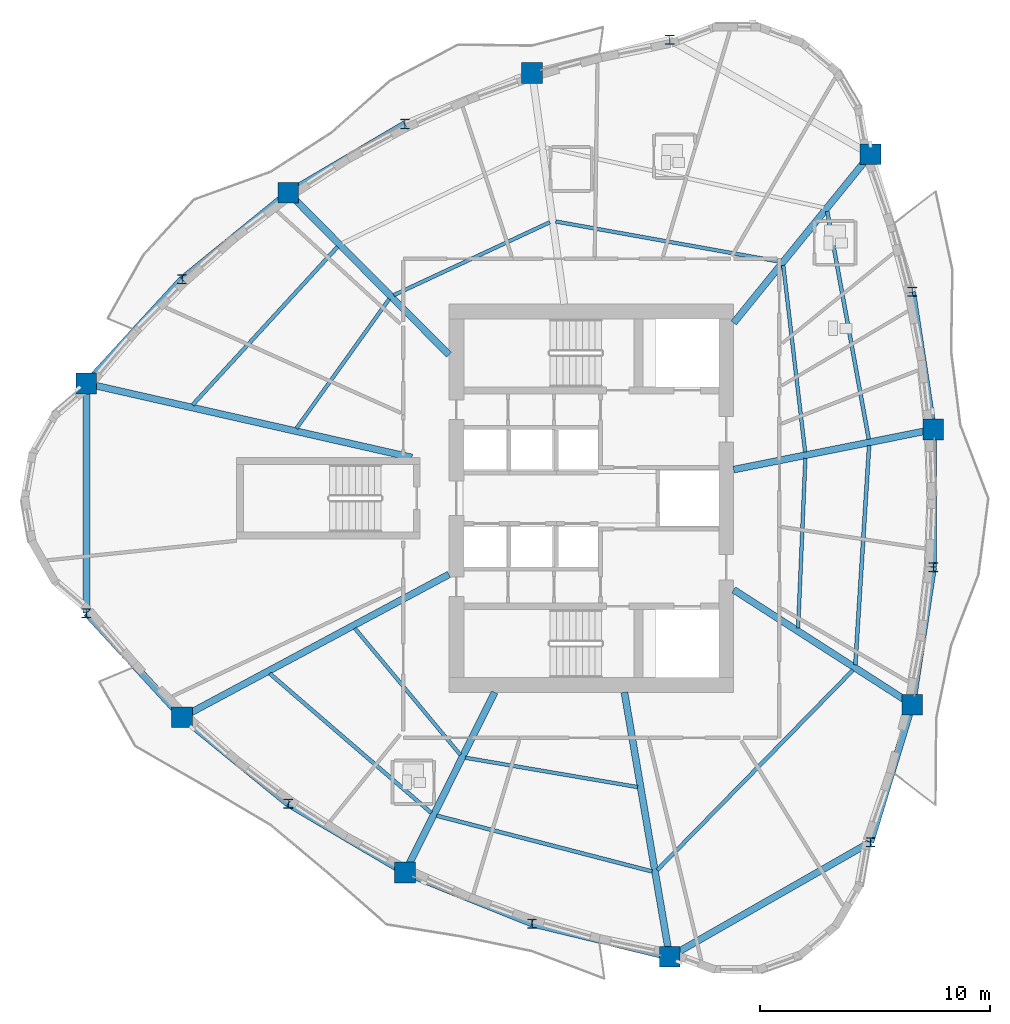
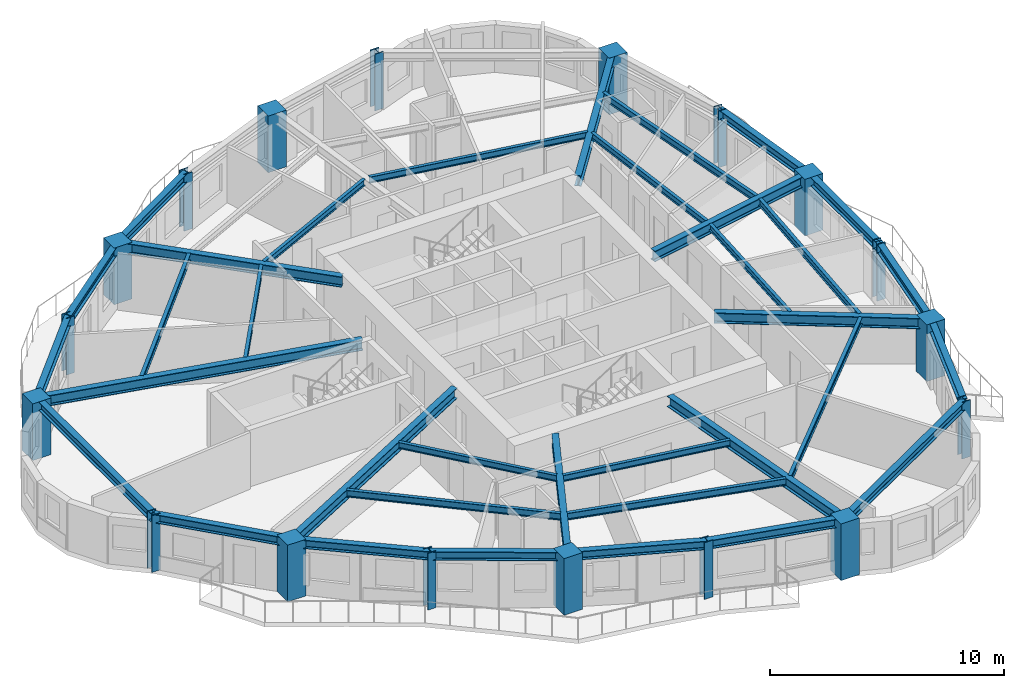
# One storey, part 1 of 12: 35 beams, 18 columns.
"""IFC4 building model written with IfcOpenShell, lengths in metres."""

from ifc_helpers import new_model, si_unit, direction, frame, origin, origin_2d, place, context, subcontext, project, spatial, rectangle, i_section, extrude, source, transform, mapped, material, material_profile, profile_set, type_object, element, save


model = new_model("IFC4")

# Units and contexts
model_context = context("Model", 3, precision=1e-05, world=origin(), true_north=direction((0.0, 1.0)))
body_context = subcontext(model_context, "Body", "Model", "MODEL_VIEW")
ifc_project = project(units=[si_unit("LENGTHUNIT", "METRE"), si_unit("AREAUNIT", "SQUARE_METRE"), si_unit("VOLUMEUNIT", "CUBIC_METRE"), si_unit("PLANEANGLEUNIT", "RADIAN"), si_unit("MASSUNIT", "GRAM", prefix="KILO")], contexts=[model_context])

# Site, building, storey
site_placement = place(None, origin())
site = spatial("IfcSite", under=ifc_project, at=site_placement, CompositionType="ELEMENT")
building_placement = place(site_placement, origin())
building = spatial("IfcBuilding", under=site, at=building_placement, Name="Qafzar Sky-Pleat Residences", CompositionType="ELEMENT")
storey_placement = place(building_placement, frame((0.0, 0.0, 92.800048828125)))
storey = spatial("IfcBuildingStorey", under=building, at=storey_placement, Name="L27", CompositionType="ELEMENT", Elevation=92.800048828125)

# Columns
ifc_material_1 = material(Name="Concrete C60/75", Category="concrete")
ifc_material_profile_1 = material_profile(ifc_material_1, rectangle(XDim=0.89990234375, YDim=0.89990234375, at=origin_2d()), Name="RC 900x900")
ifc_profile_set_1 = profile_set([ifc_material_profile_1], Name="Concrete C60/75")
column_type_1 = type_object("IfcColumnType", Name="COL-RC-900", PredefinedType="COLUMN", material=ifc_profile_set_1)
shared_shape_1 = source(origin(), body_context, "Body", "SweptSolid", [
    extrude(rectangle(XDim=0.89990234375, YDim=0.89990234375, at=origin_2d()), origin(), (0.0, 0.0, 1.0), 2.949951171875),
])
for number, where, z_axis, x_axis, name in (
    (1, (8.364990234375, 30.996337890625, 0.0), (0.0, 0.0, 1.0), (1.0, 0.0, 0.0), "L27 Perimeter Mega Column 1"),
    (2, (12.53369140625, 16.46533203125, 0.0), (0.0, 0.0, 1.0), (1.0, 0.0, 0.0), "L27 Perimeter Mega Column 3"),
    (3, (22.236328125, 9.705078125, 0.0), (0.0, 0.0, 1.0), (1.0, 0.0, 0.0), "L27 Perimeter Mega Column 5"),
    (4, (33.759521484375, 6.032470703125, 0.0), (0.0, 0.0, 1.0), (1.0, 0.0, 0.0), "L27 Perimeter Mega Column 7"),
    (5, (44.325439453125, 17.017333984375, 0.0), (0.0, 0.0, 1.0), (1.0, 0.0, 0.0), "L27 Perimeter Mega Column 9"),
    (6, (45.235595703125, 28.994140625, 0.0), (0.0, 0.0, 1.0), (1.0, 0.0, 0.0), "L27 Perimeter Mega Column 11"),
    (7, (42.5048828125, 40.97119140625, 0.0), (0.0, 0.0, 1.0), (1.0, 0.0, 0.0), "L27 Perimeter Mega Column 13"),
    (8, (27.770263671875, 44.517333984375, 0.0), (0.0, 0.0, 1.0), (1.0, 0.0, 0.0), "L27 Perimeter Mega Column 15"),
    (9, (17.157470703125, 39.30078125, 0.0), (0.0, 0.0, 1.0), (1.0, 0.0, 0.0), "L27 Perimeter Mega Column 17"),
):
    element("IfcColumn", number, at=place(storey_placement, frame(where, z_axis=z_axis, x_axis=x_axis)), inside=storey, type_object=column_type_1, Name=name, PredefinedType="COLUMN", context=body_context, shape_type="MappedRepresentation", body=[
        mapped(shared_shape_1, transform((0.0, 0.0, 0.0), x_axis=(1.0, 0.0, 0.0), y_axis=(0.0, 1.0, 0.0), z_axis=(0.0, 0.0, 1.0), scale=1.0)),
    ])
ifc_material_2 = material(Name="Steel S460", Category="steel")
ifc_material_profile_2 = material_profile(ifc_material_2, i_section(OverallWidth=0.406005859375, OverallDepth=0.416015625, WebThickness=0.027099609375, FlangeThickness=0.0439453125, FilletRadius=0.014892578125, at=origin_2d()), Name="HD 400x382")
ifc_profile_set_2 = profile_set([ifc_material_profile_2], Name="Steel S460")
column_type_2 = type_object("IfcColumnType", Name="COL-STL-HD382", PredefinedType="PILASTER", material=ifc_profile_set_2)
shared_shape_2 = source(origin(), body_context, "Body", "SweptSolid", [
    extrude(i_section(OverallWidth=0.406005859375, OverallDepth=0.416015625, WebThickness=0.027099609375, FlangeThickness=0.0439453125, FilletRadius=0.014892578125, at=origin_2d()), origin(), (0.0, 0.0, 1.0), 2.949951171875),
])
for number, where, z_axis, x_axis, name in (
    (10, (8.364990234375, 21.003662109375, 0.0), (0.0, 0.0, 1.0), (1.0, 0.0, 0.0), "L27 Perimeter Mega Column 2"),
    (11, (17.157470703125, 12.69921875, 0.0), (0.0, 0.0, 1.0), (1.0, 0.0, 0.0), "L27 Perimeter Mega Column 4"),
    (12, (27.770263671875, 7.482666015625, 0.0), (0.0, 0.0, 1.0), (1.0, 0.0, 0.0), "L27 Perimeter Mega Column 6"),
    (13, (42.5048828125, 11.02880859375, 0.0), (0.0, 0.0, 1.0), (1.0, 0.0, 0.0), "L27 Perimeter Mega Column 8"),
    (14, (45.235595703125, 23.005859375, 0.0), (0.0, 0.0, 1.0), (1.0, 0.0, 0.0), "L27 Perimeter Mega Column 10"),
    (15, (44.325439453125, 34.982666015625, 0.0), (0.0, 0.0, 1.0), (1.0, 0.0, 0.0), "L27 Perimeter Mega Column 12"),
    (16, (33.759521484375, 45.967529296875, 0.0), (0.0, 0.0, 1.0), (1.0, 0.0, 0.0), "L27 Perimeter Mega Column 14"),
    (17, (22.236328125, 42.294921875, 0.0), (0.0, 0.0, 1.0), (1.0, 0.0, 0.0), "L27 Perimeter Mega Column 16"),
    (18, (12.53369140625, 35.53466796875, 0.0), (0.0, 0.0, 1.0), (1.0, 0.0, 0.0), "L27 Perimeter Mega Column 18"),
):
    element("IfcColumn", number, at=place(storey_placement, frame(where, z_axis=z_axis, x_axis=x_axis)), inside=storey, type_object=column_type_2, Name=name, PredefinedType="PILASTER", context=body_context, shape_type="MappedRepresentation", body=[
        mapped(shared_shape_2, transform((0.0, 0.0, 0.0), x_axis=(1.0, 0.0, 0.0), y_axis=(0.0, 1.0, 0.0), z_axis=(0.0, 0.0, 1.0), scale=1.0)),
    ])

# Beams
ifc_material_3 = material(Name="Steel S355", Category="steel")
ifc_material_profile_3 = material_profile(ifc_material_3, i_section(OverallWidth=0.300048828125, OverallDepth=0.449951171875, WebThickness=0.013916015625, FlangeThickness=0.02587890625, FilletRadius=0.027099609375, at=origin_2d()), Name="HEB 450")
ifc_profile_set_3 = profile_set([ifc_material_profile_3], Name="Steel S355")
beam_type_1 = type_object("IfcBeamType", Name="BM-SPAN-HEB450", PredefinedType="SPANDREL", material=ifc_profile_set_3)
shared_shape_3 = source(origin(), body_context, "Body", "SweptSolid", [
    extrude(i_section(OverallWidth=0.300048828125, OverallDepth=0.449951171875, WebThickness=0.013916015625, FlangeThickness=0.02587890625, FilletRadius=0.027099609375, at=origin_2d()), origin(), (0.0, 0.0, 1.0), 10.072021484375),
])
beam_1_placement = place(storey_placement, frame((33.759521484375, 6.032470703125, 2.722900390625), z_axis=(0.868286397172, 0.496063234363, 0.0), x_axis=(-0.496063234363, 0.868286397172, 0.0)))
element("IfcBeam", 19, at=beam_1_placement, inside=storey, type_object=beam_type_1, Name="L27 Perimeter Spandrel Beam 7", PredefinedType="SPANDREL", context=body_context, shape_type="MappedRepresentation", body=[
    mapped(shared_shape_3, transform((0.0, 0.0, 0.0), x_axis=(1.0, 0.0, 0.0), y_axis=(0.0, 1.0, 0.0), z_axis=(0.0, 0.0, 1.0), scale=1.0)),
])
shared_shape_4 = source(origin(), body_context, "Body", "SweptSolid", [
    extrude(i_section(OverallWidth=0.300048828125, OverallDepth=0.449951171875, WebThickness=0.013916015625, FlangeThickness=0.02587890625, FilletRadius=0.027099609375, at=origin_2d()), origin(), (0.0, 0.0, 1.0), 9.99267578125),
])
beam_2_placement = place(storey_placement, frame((8.364990234375, 30.996337890625, 2.722900390625), z_axis=(0.0, -1.0, 0.0), x_axis=(1.0, 0.0, 0.0)))
element("IfcBeam", 20, at=beam_2_placement, inside=storey, type_object=beam_type_1, Name="L27 Perimeter Spandrel Beam 1", PredefinedType="SPANDREL", context=body_context, shape_type="MappedRepresentation", body=[
    mapped(shared_shape_4, transform((0.0, 0.0, 0.0), x_axis=(1.0, 0.0, 0.0), y_axis=(0.0, 1.0, 0.0), z_axis=(0.0, 0.0, 1.0), scale=1.0)),
])
shared_shape_5 = source(origin(), body_context, "Body", "SweptSolid", [
    extrude(i_section(OverallWidth=0.300048828125, OverallDepth=0.449951171875, WebThickness=0.013916015625, FlangeThickness=0.02587890625, FilletRadius=0.027099609375, at=origin_2d()), origin(), (0.0, 0.0, 1.0), 6.162353515625),
])
for number, where, z_axis, x_axis, name in (
    (21, (8.364990234375, 21.003662109375, 2.722900390625), (0.676479559829, -0.736461407769, 0.0), (0.736461407769, 0.676479559829, 0.0), "L27 Perimeter Spandrel Beam 2"),
    (22, (27.770263671875, 7.482666015625, 2.722900390625), (0.971914942444, -0.235332413098, 0.0), (0.235332413098, 0.971914942444, 0.0), "L27 Perimeter Spandrel Beam 6"),
    (23, (12.53369140625, 35.53466796875, 2.722900390625), (-0.676479559829, -0.736461407769, 0.0), (0.736461407769, -0.676479559829, 0.0), "L27 Perimeter Spandrel Beam 18"),
):
    element("IfcBeam", number, at=place(storey_placement, frame(where, z_axis=z_axis, x_axis=x_axis)), inside=storey, type_object=beam_type_1, Name=name, PredefinedType="SPANDREL", context=body_context, shape_type="MappedRepresentation", body=[
        mapped(shared_shape_5, transform((0.0, 0.0, 0.0), x_axis=(1.0, 0.0, 0.0), y_axis=(0.0, 1.0, 0.0), z_axis=(0.0, 0.0, 1.0), scale=1.0)),
    ])
shared_shape_6 = source(origin(), body_context, "Body", "SweptSolid", [
    extrude(i_section(OverallWidth=0.300048828125, OverallDepth=0.449951171875, WebThickness=0.013916015625, FlangeThickness=0.02587890625, FilletRadius=0.027099609375, at=origin_2d()), origin(), (0.0, 0.0, 1.0), 5.96337890625),
])
for number, where, z_axis, x_axis, name in (
    (24, (12.53369140625, 16.46533203125, 2.722900390625), (0.775350804249, -0.631530783375, 0.0), (0.631530783375, 0.775350804249, 0.0), "L27 Perimeter Spandrel Beam 3"),
    (25, (17.157470703125, 39.30078125, 2.722900390625), (-0.775350804249, -0.631530783375, 0.0), (0.631530783375, -0.775350804249, 0.0), "L27 Perimeter Spandrel Beam 17"),
):
    element("IfcBeam", number, at=place(storey_placement, frame(where, z_axis=z_axis, x_axis=x_axis)), inside=storey, type_object=beam_type_1, Name=name, PredefinedType="SPANDREL", context=body_context, shape_type="MappedRepresentation", body=[
        mapped(shared_shape_6, transform((0.0, 0.0, 0.0), x_axis=(1.0, 0.0, 0.0), y_axis=(0.0, 1.0, 0.0), z_axis=(0.0, 0.0, 1.0), scale=1.0)),
    ])
shared_shape_7 = source(origin(), body_context, "Body", "SweptSolid", [
    extrude(i_section(OverallWidth=0.300048828125, OverallDepth=0.449951171875, WebThickness=0.013916015625, FlangeThickness=0.02587890625, FilletRadius=0.027099609375, at=origin_2d()), origin(), (0.0, 0.0, 1.0), 5.895751953125),
])
for number, where, z_axis, x_axis, name in (
    (26, (17.157470703125, 12.69921875, 2.722900390625), (0.861446267845, -0.507848725129, 0.0), (0.507848725129, 0.861446267845, 0.0), "L27 Perimeter Spandrel Beam 4"),
    (27, (22.236328125, 42.294921875, 2.722900390625), (-0.861446267845, -0.507848725129, 0.0), (0.507848725129, -0.861446267845, 0.0), "L27 Perimeter Spandrel Beam 16"),
):
    element("IfcBeam", number, at=place(storey_placement, frame(where, z_axis=z_axis, x_axis=x_axis)), inside=storey, type_object=beam_type_1, Name=name, PredefinedType="SPANDREL", context=body_context, shape_type="MappedRepresentation", body=[
        mapped(shared_shape_7, transform((0.0, 0.0, 0.0), x_axis=(1.0, 0.0, 0.0), y_axis=(0.0, 1.0, 0.0), z_axis=(0.0, 0.0, 1.0), scale=1.0)),
    ])
shared_shape_8 = source(origin(), body_context, "Body", "SweptSolid", [
    extrude(i_section(OverallWidth=0.300048828125, OverallDepth=0.449951171875, WebThickness=0.013916015625, FlangeThickness=0.02587890625, FilletRadius=0.027099609375, at=origin_2d()), origin(), (0.0, 0.0, 1.0), 5.963623046875),
])
beam_3_placement = place(storey_placement, frame((22.236328125, 9.705078125, 2.722900390625), z_axis=(0.92796478, -0.372667904546, 0.0), x_axis=(0.372667904546, 0.92796478, 0.0)))
element("IfcBeam", 28, at=beam_3_placement, inside=storey, type_object=beam_type_1, Name="L27 Perimeter Spandrel Beam 5", PredefinedType="SPANDREL", context=body_context, shape_type="MappedRepresentation", body=[
    mapped(shared_shape_8, transform((0.0, 0.0, 0.0), x_axis=(1.0, 0.0, 0.0), y_axis=(0.0, 1.0, 0.0), z_axis=(0.0, 0.0, 1.0), scale=1.0)),
])
shared_shape_9 = source(origin(), body_context, "Body", "SweptSolid", [
    extrude(i_section(OverallWidth=0.300048828125, OverallDepth=0.449951171875, WebThickness=0.013916015625, FlangeThickness=0.02587890625, FilletRadius=0.027099609375, at=origin_2d()), origin(), (0.0, 0.0, 1.0), 6.259033203125),
])
beam_4_placement = place(storey_placement, frame((42.5048828125, 11.02880859375, 2.722900390625), z_axis=(0.290863594667, 0.956764531793, 0.0), x_axis=(-0.956764531793, 0.290863594667, 0.0)))
element("IfcBeam", 29, at=beam_4_placement, inside=storey, type_object=beam_type_1, Name="L27 Perimeter Spandrel Beam 8", PredefinedType="SPANDREL", context=body_context, shape_type="MappedRepresentation", body=[
    mapped(shared_shape_9, transform((0.0, 0.0, 0.0), x_axis=(1.0, 0.0, 0.0), y_axis=(0.0, 1.0, 0.0), z_axis=(0.0, 0.0, 1.0), scale=1.0)),
])
shared_shape_10 = source(origin(), body_context, "Body", "SweptSolid", [
    extrude(i_section(OverallWidth=0.300048828125, OverallDepth=0.449951171875, WebThickness=0.013916015625, FlangeThickness=0.02587890625, FilletRadius=0.027099609375, at=origin_2d()), origin(), (0.0, 0.0, 1.0), 6.057373046875),
])
for number, where, z_axis, x_axis, name in (
    (30, (44.325439453125, 17.017333984375, 2.722900390625), (0.150257874902, 0.988646838376, 0.0), (-0.988646838376, 0.150257874902, 0.0), "L27 Perimeter Spandrel Beam 9"),
    (31, (45.235595703125, 28.994140625, 2.722900390625), (-0.150257874902, 0.988646838376, 0.0), (-0.988646838376, -0.150257874902, 0.0), "L27 Perimeter Spandrel Beam 11"),
):
    element("IfcBeam", number, at=place(storey_placement, frame(where, z_axis=z_axis, x_axis=x_axis)), inside=storey, type_object=beam_type_1, Name=name, PredefinedType="SPANDREL", context=body_context, shape_type="MappedRepresentation", body=[
        mapped(shared_shape_10, transform((0.0, 0.0, 0.0), x_axis=(1.0, 0.0, 0.0), y_axis=(0.0, 1.0, 0.0), z_axis=(0.0, 0.0, 1.0), scale=1.0)),
    ])
shared_shape_11 = source(origin(), body_context, "Body", "SweptSolid", [
    extrude(i_section(OverallWidth=0.300048828125, OverallDepth=0.449951171875, WebThickness=0.013916015625, FlangeThickness=0.02587890625, FilletRadius=0.027099609375, at=origin_2d()), origin(), (0.0, 0.0, 1.0), 5.98828125),
])
beam_5_placement = place(storey_placement, frame((45.235595703125, 23.005859375, 2.722900390625), z_axis=(0.0, 1.0, 0.0), x_axis=(-1.0, 0.0, 0.0)))
element("IfcBeam", 32, at=beam_5_placement, inside=storey, type_object=beam_type_1, Name="L27 Perimeter Spandrel Beam 10", PredefinedType="SPANDREL", context=body_context, shape_type="MappedRepresentation", body=[
    mapped(shared_shape_11, transform((0.0, 0.0, 0.0), x_axis=(1.0, 0.0, 0.0), y_axis=(0.0, 1.0, 0.0), z_axis=(0.0, 0.0, 1.0), scale=1.0)),
])
ifc_material_profile_4 = material_profile(ifc_material_3, i_section(OverallWidth=0.300048828125, OverallDepth=0.550048828125, WebThickness=0.014892578125, FlangeThickness=0.029052734375, FilletRadius=0.027099609375, at=origin_2d()), Name="HEB 550")
ifc_profile_set_4 = profile_set([ifc_material_profile_4], Name="Steel S355")
beam_type_2 = type_object("IfcBeamType", Name="BM-GIRD-HEB550", PredefinedType="BEAM", material=ifc_profile_set_4)
shared_shape_12 = source(origin(), body_context, "Body", "SweptSolid", [
    extrude(i_section(OverallWidth=0.300048828125, OverallDepth=0.550048828125, WebThickness=0.014892578125, FlangeThickness=0.029052734375, FilletRadius=0.027099609375, at=origin_2d()), origin(), (0.0, 0.0, 1.0), 14.536376953125),
])
beam_6_placement = place(storey_placement, frame((8.364990234375, 30.996337890625, 2.6728515625), z_axis=(0.975134505596, -0.221613844322, 0.0), x_axis=(0.221613844322, 0.975134505596, 0.0)))
element("IfcBeam", 33, at=beam_6_placement, inside=storey, type_object=beam_type_2, Name="L27 Radial Floor Girder 1", PredefinedType="BEAM", context=body_context, shape_type="MappedRepresentation", body=[
    mapped(shared_shape_12, transform((0.0, 0.0, 0.0), x_axis=(1.0, 0.0, 0.0), y_axis=(0.0, 1.0, 0.0), z_axis=(0.0, 0.0, 1.0), scale=1.0)),
])
shared_shape_13 = source(origin(), body_context, "Body", "SweptSolid", [
    extrude(i_section(OverallWidth=0.300048828125, OverallDepth=0.550048828125, WebThickness=0.014892578125, FlangeThickness=0.029052734375, FilletRadius=0.027099609375, at=origin_2d()), origin(), (0.0, 0.0, 1.0), 13.175048828125),
])
beam_7_placement = place(storey_placement, frame((12.53369140625, 16.46533203125, 2.6728515625), z_axis=(0.881682641065, 0.471842898055, 0.0), x_axis=(-0.471842898055, 0.881682641065, 0.0)))
element("IfcBeam", 34, at=beam_7_placement, inside=storey, type_object=beam_type_2, Name="L27 Radial Floor Girder 3", PredefinedType="BEAM", context=body_context, shape_type="MappedRepresentation", body=[
    mapped(shared_shape_13, transform((0.0, 0.0, 0.0), x_axis=(1.0, 0.0, 0.0), y_axis=(0.0, 1.0, 0.0), z_axis=(0.0, 0.0, 1.0), scale=1.0)),
])
shared_shape_14 = source(origin(), body_context, "Body", "SweptSolid", [
    extrude(i_section(OverallWidth=0.300048828125, OverallDepth=0.550048828125, WebThickness=0.014892578125, FlangeThickness=0.029052734375, FilletRadius=0.027099609375, at=origin_2d()), origin(), (0.0, 0.0, 1.0), 8.763671875),
])
beam_8_placement = place(storey_placement, frame((22.236328125, 9.705078125, 2.6728515625), z_axis=(0.445730926233, 0.89516699079, 0.0), x_axis=(-0.89516699079, 0.445730926233, 0.0)))
element("IfcBeam", 35, at=beam_8_placement, inside=storey, type_object=beam_type_2, Name="L27 Radial Floor Girder 5", PredefinedType="BEAM", context=body_context, shape_type="MappedRepresentation", body=[
    mapped(shared_shape_14, transform((0.0, 0.0, 0.0), x_axis=(1.0, 0.0, 0.0), y_axis=(0.0, 1.0, 0.0), z_axis=(0.0, 0.0, 1.0), scale=1.0)),
])
shared_shape_15 = source(origin(), body_context, "Body", "SweptSolid", [
    extrude(i_section(OverallWidth=0.300048828125, OverallDepth=0.550048828125, WebThickness=0.014892578125, FlangeThickness=0.029052734375, FilletRadius=0.027099609375, at=origin_2d()), origin(), (0.0, 0.0, 1.0), 11.684326171875),
])
beam_9_placement = place(storey_placement, frame((33.759521484375, 6.032470703125, 2.6728515625), z_axis=(-0.168328155198, 0.985731014105, 0.0), x_axis=(-0.985731014105, -0.168328155198, 0.0)))
element("IfcBeam", 36, at=beam_9_placement, inside=storey, type_object=beam_type_2, Name="L27 Radial Floor Girder 7", PredefinedType="BEAM", context=body_context, shape_type="MappedRepresentation", body=[
    mapped(shared_shape_15, transform((0.0, 0.0, 0.0), x_axis=(1.0, 0.0, 0.0), y_axis=(0.0, 1.0, 0.0), z_axis=(0.0, 0.0, 1.0), scale=1.0)),
])
shared_shape_16 = source(origin(), body_context, "Body", "SweptSolid", [
    extrude(i_section(OverallWidth=0.300048828125, OverallDepth=0.550048828125, WebThickness=0.014892578125, FlangeThickness=0.029052734375, FilletRadius=0.027099609375, at=origin_2d()), origin(), (0.0, 0.0, 1.0), 9.242919921875),
])
beam_10_placement = place(storey_placement, frame((44.325439453125, 17.017333984375, 2.6728515625), z_axis=(-0.841223099247, 0.540688170107, 0.0), x_axis=(-0.540688170107, -0.841223099247, 0.0)))
element("IfcBeam", 37, at=beam_10_placement, inside=storey, type_object=beam_type_2, Name="L27 Radial Floor Girder 9", PredefinedType="BEAM", context=body_context, shape_type="MappedRepresentation", body=[
    mapped(shared_shape_16, transform((0.0, 0.0, 0.0), x_axis=(1.0, 0.0, 0.0), y_axis=(0.0, 1.0, 0.0), z_axis=(0.0, 0.0, 1.0), scale=1.0)),
])
shared_shape_17 = source(origin(), body_context, "Body", "SweptSolid", [
    extrude(i_section(OverallWidth=0.300048828125, OverallDepth=0.550048828125, WebThickness=0.014892578125, FlangeThickness=0.029052734375, FilletRadius=0.027099609375, at=origin_2d()), origin(), (0.0, 0.0, 1.0), 8.859619140625),
])
beam_11_placement = place(storey_placement, frame((45.235595703125, 28.994140625, 2.6728515625), z_axis=(-0.980363864167, -0.197197093883, 0.0), x_axis=(0.197197093883, -0.980363864167, 0.0)))
element("IfcBeam", 38, at=beam_11_placement, inside=storey, type_object=beam_type_2, Name="L27 Radial Floor Girder 11", PredefinedType="BEAM", context=body_context, shape_type="MappedRepresentation", body=[
    mapped(shared_shape_17, transform((0.0, 0.0, 0.0), x_axis=(1.0, 0.0, 0.0), y_axis=(0.0, 1.0, 0.0), z_axis=(0.0, 0.0, 1.0), scale=1.0)),
])
shared_shape_18 = source(origin(), body_context, "Body", "SweptSolid", [
    extrude(i_section(OverallWidth=0.300048828125, OverallDepth=0.550048828125, WebThickness=0.014892578125, FlangeThickness=0.029052734375, FilletRadius=0.027099609375, at=origin_2d()), origin(), (0.0, 0.0, 1.0), 9.44775390625),
])
beam_12_placement = place(storey_placement, frame((42.5048828125, 40.97119140625, 2.6728515625), z_axis=(-0.63029780514, -0.776353448396, 0.0), x_axis=(0.776353448396, -0.63029780514, 0.0)))
element("IfcBeam", 39, at=beam_12_placement, inside=storey, type_object=beam_type_2, Name="L27 Radial Floor Girder 13", PredefinedType="BEAM", context=body_context, shape_type="MappedRepresentation", body=[
    mapped(shared_shape_18, transform((0.0, 0.0, 0.0), x_axis=(1.0, 0.0, 0.0), y_axis=(0.0, 1.0, 0.0), z_axis=(0.0, 0.0, 1.0), scale=1.0)),
])
shared_shape_19 = source(origin(), body_context, "Body", "SweptSolid", [
    extrude(i_section(OverallWidth=0.300048828125, OverallDepth=0.550048828125, WebThickness=0.014892578125, FlangeThickness=0.029052734375, FilletRadius=0.027099609375, at=origin_2d()), origin(), (0.0, 0.0, 1.0), 9.9296875),
])
beam_13_placement = place(storey_placement, frame((17.157470703125, 39.30078125, 2.6728515625), z_axis=(0.70419954962, -0.710002108669, 0.0), x_axis=(0.710002108669, 0.70419954962, 0.0)))
element("IfcBeam", 40, at=beam_13_placement, inside=storey, type_object=beam_type_2, Name="L27 Radial Floor Girder 17", PredefinedType="BEAM", context=body_context, shape_type="MappedRepresentation", body=[
    mapped(shared_shape_19, transform((0.0, 0.0, 0.0), x_axis=(1.0, 0.0, 0.0), y_axis=(0.0, 1.0, 0.0), z_axis=(0.0, 0.0, 1.0), scale=1.0)),
])
ifc_material_profile_5 = material_profile(ifc_material_3, i_section(OverallWidth=0.169921875, OverallDepth=0.360107421875, WebThickness=0.008056640625, FlangeThickness=0.0126953125, FilletRadius=0.01806640625, at=origin_2d()), Name="IPE 360")
ifc_profile_set_5 = profile_set([ifc_material_profile_5], Name="Steel S355")
beam_type_3 = type_object("IfcBeamType", Name="BM-JST-IPE360", PredefinedType="JOIST", material=ifc_profile_set_5)
shared_shape_20 = source(origin(), body_context, "Body", "SweptSolid", [
    extrude(i_section(OverallWidth=0.169921875, OverallDepth=0.360107421875, WebThickness=0.008056640625, FlangeThickness=0.0126953125, FilletRadius=0.01806640625, at=origin_2d()), origin(), (0.0, 0.0, 1.0), 9.2841796875),
])
beam_14_placement = place(storey_placement, frame((16.35302734375, 18.36669921875, 2.76806640625), z_axis=(0.757315332582, -0.65304937565, 0.0), x_axis=(0.65304937565, 0.757315332582, 0.0)))
element("IfcBeam", 41, at=beam_14_placement, inside=storey, type_object=beam_type_3, Name="L27 Outer Secondary Floor Joist 2", PredefinedType="JOIST", context=body_context, shape_type="MappedRepresentation", body=[
    mapped(shared_shape_20, transform((0.0, 0.0, 0.0), x_axis=(1.0, 0.0, 0.0), y_axis=(0.0, 1.0, 0.0), z_axis=(0.0, 0.0, 1.0), scale=1.0)),
])
shared_shape_21 = source(origin(), body_context, "Body", "SweptSolid", [
    extrude(i_section(OverallWidth=0.169921875, OverallDepth=0.360107421875, WebThickness=0.008056640625, FlangeThickness=0.0126953125, FilletRadius=0.01806640625, at=origin_2d()), origin(), (0.0, 0.0, 1.0), 9.692138671875),
])
beam_15_placement = place(storey_placement, frame((23.616943359375, 12.181640625, 2.76806640625), z_axis=(0.968067798789, -0.250688525762, 0.0), x_axis=(0.250688525762, 0.968067798789, 0.0)))
element("IfcBeam", 42, at=beam_15_placement, inside=storey, type_object=beam_type_3, Name="L27 Outer Secondary Floor Joist 3", PredefinedType="JOIST", context=body_context, shape_type="MappedRepresentation", body=[
    mapped(shared_shape_21, transform((0.0, 0.0, 0.0), x_axis=(1.0, 0.0, 0.0), y_axis=(0.0, 1.0, 0.0), z_axis=(0.0, 0.0, 1.0), scale=1.0)),
])
shared_shape_22 = source(origin(), body_context, "Body", "SweptSolid", [
    extrude(i_section(OverallWidth=0.169921875, OverallDepth=0.360107421875, WebThickness=0.008056640625, FlangeThickness=0.0126953125, FilletRadius=0.01806640625, at=origin_2d()), origin(), (0.0, 0.0, 1.0), 12.1796875),
])
beam_16_placement = place(storey_placement, frame((33.224609375, 9.814697265625, 2.76806640625), z_axis=(0.699387892568, 0.714742314215, 0.0), x_axis=(-0.714742314215, 0.699387892568, 0.0)))
element("IfcBeam", 43, at=beam_16_placement, inside=storey, type_object=beam_type_3, Name="L27 Outer Secondary Floor Joist 4", PredefinedType="JOIST", context=body_context, shape_type="MappedRepresentation", body=[
    mapped(shared_shape_22, transform((0.0, 0.0, 0.0), x_axis=(1.0, 0.0, 0.0), y_axis=(0.0, 1.0, 0.0), z_axis=(0.0, 0.0, 1.0), scale=1.0)),
])
shared_shape_23 = source(origin(), body_context, "Body", "SweptSolid", [
    extrude(i_section(OverallWidth=0.169921875, OverallDepth=0.360107421875, WebThickness=0.008056640625, FlangeThickness=0.0126953125, FilletRadius=0.01806640625, at=origin_2d()), origin(), (0.0, 0.0, 1.0), 9.568115234375),
])
beam_17_placement = place(storey_placement, frame((41.845703125, 18.751220703125, 2.76806640625), z_axis=(0.06292315375, 0.998018374942, 0.0), x_axis=(-0.998018374942, 0.06292315375, 0.0)))
element("IfcBeam", 44, at=beam_17_placement, inside=storey, type_object=beam_type_3, Name="L27 Outer Secondary Floor Joist 5", PredefinedType="JOIST", context=body_context, shape_type="MappedRepresentation", body=[
    mapped(shared_shape_23, transform((0.0, 0.0, 0.0), x_axis=(1.0, 0.0, 0.0), y_axis=(0.0, 1.0, 0.0), z_axis=(0.0, 0.0, 1.0), scale=1.0)),
])
shared_shape_24 = source(origin(), body_context, "Body", "SweptSolid", [
    extrude(i_section(OverallWidth=0.169921875, OverallDepth=0.360107421875, WebThickness=0.008056640625, FlangeThickness=0.0126953125, FilletRadius=0.01806640625, at=origin_2d()), origin(), (0.0, 0.0, 1.0), 10.0869140625),
])
beam_18_placement = place(storey_placement, frame((42.43212890625, 28.56787109375, 2.76806640625), z_axis=(-0.179302891897, 0.983793917931, 0.0), x_axis=(-0.983793917931, -0.179302891897, 0.0)))
element("IfcBeam", 45, at=beam_18_placement, inside=storey, type_object=beam_type_3, Name="L27 Outer Secondary Floor Joist 6", PredefinedType="JOIST", context=body_context, shape_type="MappedRepresentation", body=[
    mapped(shared_shape_24, transform((0.0, 0.0, 0.0), x_axis=(1.0, 0.0, 0.0), y_axis=(0.0, 1.0, 0.0), z_axis=(0.0, 0.0, 1.0), scale=1.0)),
])
shared_shape_25 = source(origin(), body_context, "Body", "SweptSolid", [
    extrude(i_section(OverallWidth=0.169921875, OverallDepth=0.360107421875, WebThickness=0.008056640625, FlangeThickness=0.0126953125, FilletRadius=0.01806640625, at=origin_2d()), origin(), (0.0, 0.0, 1.0), 9.336669921875),
])
beam_19_placement = place(storey_placement, frame((19.3037109375, 36.9453125, 2.76806640625), z_axis=(-0.675987450596, -0.736913133711, 0.0), x_axis=(0.736913133711, -0.675987450596, 0.0)))
element("IfcBeam", 46, at=beam_19_placement, inside=storey, type_object=beam_type_3, Name="L27 Outer Secondary Floor Joist 9", PredefinedType="JOIST", context=body_context, shape_type="MappedRepresentation", body=[
    mapped(shared_shape_25, transform((0.0, 0.0, 0.0), x_axis=(1.0, 0.0, 0.0), y_axis=(0.0, 1.0, 0.0), z_axis=(0.0, 0.0, 1.0), scale=1.0)),
])
ifc_material_profile_6 = material_profile(ifc_material_3, i_section(OverallWidth=0.159912109375, OverallDepth=0.330078125, WebThickness=0.007568359375, FlangeThickness=0.011474609375, FilletRadius=0.01806640625, at=origin_2d()), Name="IPE 330")
ifc_profile_set_6 = profile_set([ifc_material_profile_6], Name="Steel S355")
beam_type_4 = type_object("IfcBeamType", Name="BM-JST-IPE330", PredefinedType="JOIST", material=ifc_profile_set_6)
shared_shape_26 = source(origin(), body_context, "Body", "SweptSolid", [
    extrude(i_section(OverallWidth=0.159912109375, OverallDepth=0.330078125, WebThickness=0.007568359375, FlangeThickness=0.011474609375, FilletRadius=0.01806640625, at=origin_2d()), origin(), (0.0, 0.0, 1.0), 7.17529296875),
])
beam_20_placement = place(storey_placement, frame((20.0546875, 20.34033203125, 2.782958984375), z_axis=(0.640425334659, -0.7680204364, 0.0), x_axis=(0.7680204364, 0.640425334659, 0.0)))
element("IfcBeam", 47, at=beam_20_placement, inside=storey, type_object=beam_type_4, Name="L27 Inner Secondary Floor Joist 2", PredefinedType="JOIST", context=body_context, shape_type="MappedRepresentation", body=[
    mapped(shared_shape_26, transform((0.0, 0.0, 0.0), x_axis=(1.0, 0.0, 0.0), y_axis=(0.0, 1.0, 0.0), z_axis=(0.0, 0.0, 1.0), scale=1.0)),
])
shared_shape_27 = source(origin(), body_context, "Body", "SweptSolid", [
    extrude(i_section(OverallWidth=0.159912109375, OverallDepth=0.330078125, WebThickness=0.007568359375, FlangeThickness=0.011474609375, FilletRadius=0.01806640625, at=origin_2d()), origin(), (0.0, 0.0, 1.0), 7.606201171875),
])
beam_21_placement = place(storey_placement, frame((24.869384765625, 14.703125, 2.782958984375), z_axis=(0.98581450377, -0.167838506177, 0.0), x_axis=(0.167838506177, 0.98581450377, 0.0)))
element("IfcBeam", 48, at=beam_21_placement, inside=storey, type_object=beam_type_4, Name="L27 Inner Secondary Floor Joist 3", PredefinedType="JOIST", context=body_context, shape_type="MappedRepresentation", body=[
    mapped(shared_shape_27, transform((0.0, 0.0, 0.0), x_axis=(1.0, 0.0, 0.0), y_axis=(0.0, 1.0, 0.0), z_axis=(0.0, 0.0, 1.0), scale=1.0)),
])
shared_shape_28 = source(origin(), body_context, "Body", "SweptSolid", [
    extrude(i_section(OverallWidth=0.159912109375, OverallDepth=0.330078125, WebThickness=0.007568359375, FlangeThickness=0.011474609375, FilletRadius=0.01806640625, at=origin_2d()), origin(), (0.0, 0.0, 1.0), 7.3974609375),
])
beam_22_placement = place(storey_placement, frame((39.35498046875, 20.3505859375, 2.782958984375), z_axis=(0.042739715972, 0.999086240861, 0.0), x_axis=(-0.999086240861, 0.042739715972, 0.0)))
element("IfcBeam", 49, at=beam_22_placement, inside=storey, type_object=beam_type_4, Name="L27 Inner Secondary Floor Joist 5", PredefinedType="JOIST", context=body_context, shape_type="MappedRepresentation", body=[
    mapped(shared_shape_28, transform((0.0, 0.0, 0.0), x_axis=(1.0, 0.0, 0.0), y_axis=(0.0, 1.0, 0.0), z_axis=(0.0, 0.0, 1.0), scale=1.0)),
])
shared_shape_29 = source(origin(), body_context, "Body", "SweptSolid", [
    extrude(i_section(OverallWidth=0.159912109375, OverallDepth=0.330078125, WebThickness=0.007568359375, FlangeThickness=0.011474609375, FilletRadius=0.01806640625, at=origin_2d()), origin(), (0.0, 0.0, 1.0), 8.188232421875),
])
beam_23_placement = place(storey_placement, frame((39.6611328125, 28.010009765625, 2.782958984375), z_axis=(-0.116221911408, 0.993223271631, 0.0), x_axis=(-0.993223271631, -0.116221911408, 0.0)))
element("IfcBeam", 50, at=beam_23_placement, inside=storey, type_object=beam_type_4, Name="L27 Inner Secondary Floor Joist 6", PredefinedType="JOIST", context=body_context, shape_type="MappedRepresentation", body=[
    mapped(shared_shape_29, transform((0.0, 0.0, 0.0), x_axis=(1.0, 0.0, 0.0), y_axis=(0.0, 1.0, 0.0), z_axis=(0.0, 0.0, 1.0), scale=1.0)),
])
shared_shape_30 = source(origin(), body_context, "Body", "SweptSolid", [
    extrude(i_section(OverallWidth=0.159912109375, OverallDepth=0.330078125, WebThickness=0.007568359375, FlangeThickness=0.011474609375, FilletRadius=0.01806640625, at=origin_2d()), origin(), (0.0, 0.0, 1.0), 9.91552734375),
])
beam_24_placement = place(storey_placement, frame((38.560791015625, 36.30078125, 2.782958984375), z_axis=(-0.984311251138, 0.176440814109, 0.0), x_axis=(-0.176440814109, -0.984311251138, 0.0)))
element("IfcBeam", 51, at=beam_24_placement, inside=storey, type_object=beam_type_4, Name="L27 Inner Secondary Floor Joist 7", PredefinedType="JOIST", context=body_context, shape_type="MappedRepresentation", body=[
    mapped(shared_shape_30, transform((0.0, 0.0, 0.0), x_axis=(1.0, 0.0, 0.0), y_axis=(0.0, 1.0, 0.0), z_axis=(0.0, 0.0, 1.0), scale=1.0)),
])
shared_shape_31 = source(origin(), body_context, "Body", "SweptSolid", [
    extrude(i_section(OverallWidth=0.159912109375, OverallDepth=0.330078125, WebThickness=0.007568359375, FlangeThickness=0.011474609375, FilletRadius=0.01806640625, at=origin_2d()), origin(), (0.0, 0.0, 1.0), 7.49462890625),
])
beam_25_placement = place(storey_placement, frame((28.545654296875, 38.01708984375, 2.782958984375), z_axis=(-0.906074923142, -0.423117281204, 0.0), x_axis=(0.423117281204, -0.906074923142, 0.0)))
element("IfcBeam", 52, at=beam_25_placement, inside=storey, type_object=beam_type_4, Name="L27 Inner Secondary Floor Joist 8", PredefinedType="JOIST", context=body_context, shape_type="MappedRepresentation", body=[
    mapped(shared_shape_31, transform((0.0, 0.0, 0.0), x_axis=(1.0, 0.0, 0.0), y_axis=(0.0, 1.0, 0.0), z_axis=(0.0, 0.0, 1.0), scale=1.0)),
])
shared_shape_32 = source(origin(), body_context, "Body", "SweptSolid", [
    extrude(i_section(OverallWidth=0.159912109375, OverallDepth=0.330078125, WebThickness=0.007568359375, FlangeThickness=0.011474609375, FilletRadius=0.01806640625, at=origin_2d()), origin(), (0.0, 0.0, 1.0), 6.9326171875),
])
beam_26_placement = place(storey_placement, frame((21.553955078125, 34.67919921875, 2.782958984375), z_axis=(-0.582549962989, -0.812794894559, 0.0), x_axis=(0.812794894559, -0.582549962989, 0.0)))
element("IfcBeam", 53, at=beam_26_placement, inside=storey, type_object=beam_type_4, Name="L27 Inner Secondary Floor Joist 9", PredefinedType="JOIST", context=body_context, shape_type="MappedRepresentation", body=[
    mapped(shared_shape_32, transform((0.0, 0.0, 0.0), x_axis=(1.0, 0.0, 0.0), y_axis=(0.0, 1.0, 0.0), z_axis=(0.0, 0.0, 1.0), scale=1.0)),
])

save(model, "model.ifc")
